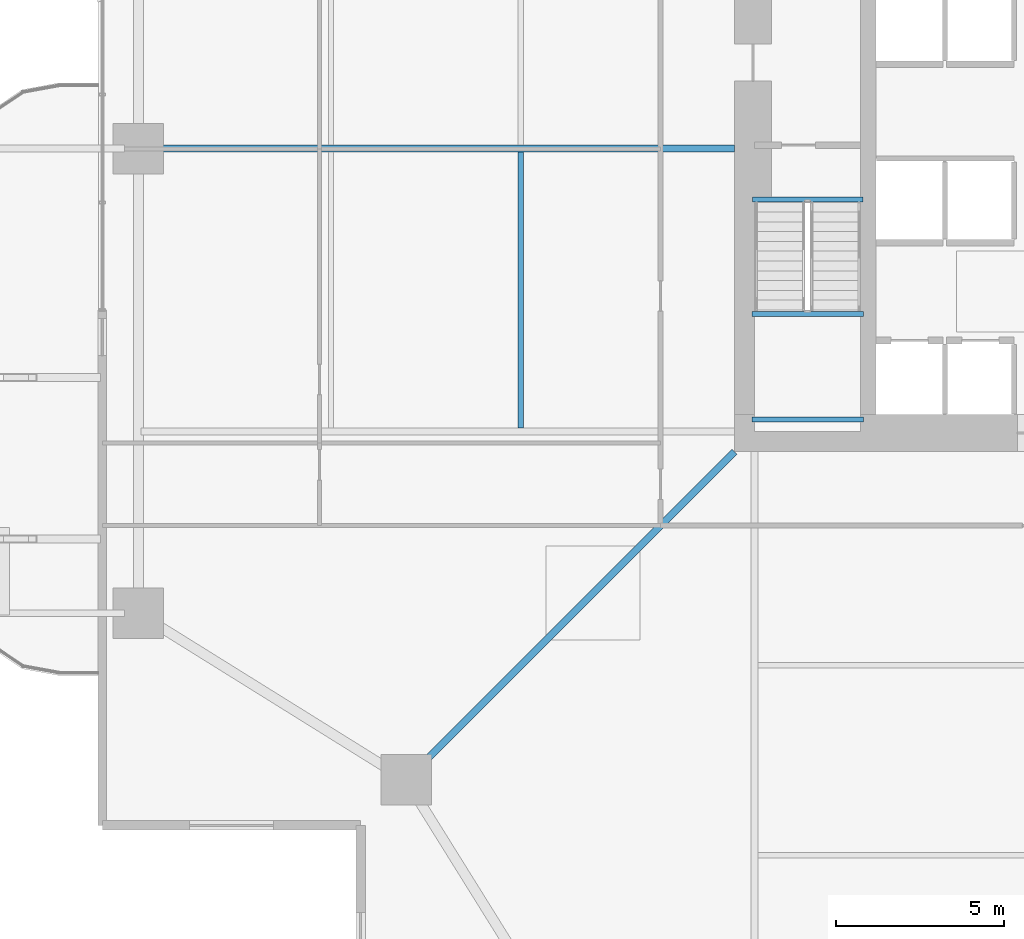
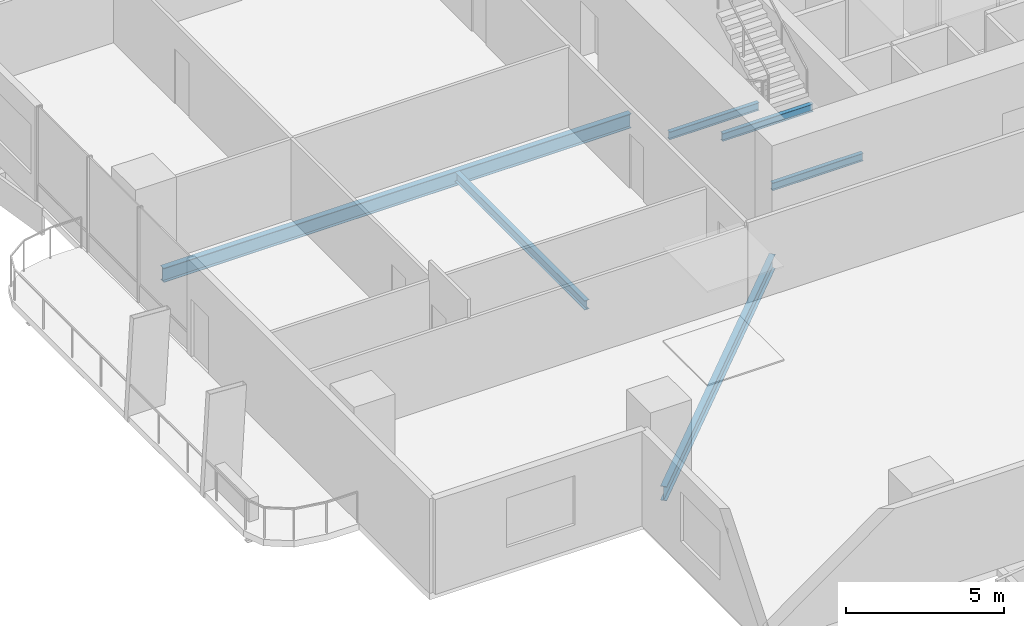
# One storey, part 5 of 24: 6 beams.
"""IFC4 building model written with IfcOpenShell, lengths in metres."""

from ifc_helpers import new_model, si_unit, direction, frame, origin, origin_2d, place, context, subcontext, project, spatial, i_section, extrude, material, material_profile, profile_set, type_object, element, save


model = new_model("IFC4")

# Units and contexts
model_context = context("Model", 3, precision=1e-05, world=origin(), true_north=direction((0.0, 1.0)))
body_context = subcontext(model_context, "Body", "Model", "MODEL_VIEW")
ifc_project = project(units=[si_unit("LENGTHUNIT", "METRE"), si_unit("AREAUNIT", "SQUARE_METRE"), si_unit("VOLUMEUNIT", "CUBIC_METRE"), si_unit("PLANEANGLEUNIT", "RADIAN"), si_unit("MASSUNIT", "GRAM", prefix="KILO")], contexts=[model_context])

# Site, building, storey
site_placement = place(None, origin())
site = spatial("IfcSite", under=ifc_project, at=site_placement, CompositionType="ELEMENT")
building_placement = place(site_placement, origin())
building = spatial("IfcBuilding", under=site, at=building_placement, Name="Belovzor Exchange Tower", CompositionType="ELEMENT")
storey_placement = place(building_placement, frame((0.0, 0.0, 45.60009765625)))
storey = spatial("IfcBuildingStorey", under=building, at=storey_placement, Name="L10", CompositionType="ELEMENT", Elevation=45.60009765625)

# Beams
ifc_material_1 = material(Name="Steel S355", Category="steel")
ifc_material_profile_1 = material_profile(ifc_material_1, i_section(OverallWidth=0.169921875, OverallDepth=0.360107421875, WebThickness=0.008056640625, FlangeThickness=0.0126953125, at=origin_2d()))
ifc_profile_set_1 = profile_set([ifc_material_profile_1], Name="Steel S355")
beam_type_1 = type_object("IfcBeamType", Name="Secondary Infill Floor Joist IPE 360", PredefinedType="BEAM", material=ifc_profile_set_1)
beam_1_placement = place(storey_placement, frame((13.455078125, 20.5048828125, -0.43017578125), z_axis=(0.0, 1.0, 0.0), x_axis=(-1.0, 0.0, 0.0)))
element("IfcBeam", 1, at=beam_1_placement, inside=storey, type_object=beam_type_1, Name="FJ-360 Secondary Infill Floor Joist IPE 360", PredefinedType="BEAM", context=body_context, shape_type="SweptSolid", body=[
    extrude(i_section(OverallWidth=0.169921875, OverallDepth=0.360107421875, WebThickness=0.008056640625, FlangeThickness=0.0126953125, at=origin_2d()), origin(), (0.0, 0.0, 1.0), 8.190185546875),
])
ifc_material_2 = material(Name="Steel S355", Category="steel")
ifc_material_profile_2 = material_profile(ifc_material_2, i_section(OverallWidth=0.14990234375, OverallDepth=0.300048828125, WebThickness=0.007080078125, FlangeThickness=0.0107421875, at=origin_2d()))
ifc_profile_set_2 = profile_set([ifc_material_profile_2], Name="Steel S355")
beam_type_2 = type_object("IfcBeamType", Name="Secondary Trim Floor Joist IPE 300", PredefinedType="BEAM", material=ifc_profile_set_2)
for number, where, z_axis, x_axis, name in (
    (2, (20.320068359375, 23.889892578125, 1.599853515625), (1.0, 0.0, 0.0), (0.0, 1.0, 0.0), "FJ-300 Secondary Trim Floor Joist IPE 300"),
    (3, (20.320068359375, 20.75, 1.599853515625), (1.0, 0.0, 0.0), (0.0, 1.0, 0.0), "FJ-300 Secondary Trim Floor Joist IPE 300"),
):
    element("IfcBeam", number, at=place(storey_placement, frame(where, z_axis=z_axis, x_axis=x_axis)), inside=storey, type_object=beam_type_2, Name=name, PredefinedType="BEAM", context=body_context, shape_type="SweptSolid", body=[
        extrude(i_section(OverallWidth=0.14990234375, OverallDepth=0.300048828125, WebThickness=0.007080078125, FlangeThickness=0.0107421875, at=origin_2d()), origin(), (0.0, 0.0, 1.0), 3.309814453125),
    ])
beam_2_placement = place(storey_placement, frame((20.340087890625, 27.280029296875, -0.400146484375), z_axis=(1.0, 0.0, 0.0), x_axis=(0.0, 1.0, 0.0)))
element("IfcBeam", 4, at=beam_2_placement, inside=storey, type_object=beam_type_2, Name="FJ-300 Secondary Trim Floor Joist IPE 300", PredefinedType="BEAM", context=body_context, shape_type="SweptSolid", body=[
    extrude(i_section(OverallWidth=0.14990234375, OverallDepth=0.300048828125, WebThickness=0.007080078125, FlangeThickness=0.0107421875, at=origin_2d()), origin(), (0.0, 0.0, 1.0), 3.27001953125),
])
ifc_material_3 = material(Name="Steel S355", Category="steel")
ifc_material_profile_3 = material_profile(ifc_material_3, i_section(OverallWidth=0.2099609375, OverallDepth=0.550048828125, WebThickness=0.010986328125, FlangeThickness=0.01708984375, at=origin_2d()))
ifc_profile_set_3 = profile_set([ifc_material_profile_3], Name="Steel S355")
beam_type_3 = type_object("IfcBeamType", Name="Zone 1 Radial Composite Floor Beam IPE 550", PredefinedType="BEAM", material=ifc_profile_set_3)
beam_3_placement = place(storey_placement, frame((19.800048828125, 28.800048828125, -0.525146484375), z_axis=(-1.0, 0.0, 0.0), x_axis=(0.0, -1.0, 0.0)))
element("IfcBeam", 5, at=beam_3_placement, inside=storey, type_object=beam_type_3, Name="FB-550 Zone 1 Radial Composite Floor Beam IPE 550", PredefinedType="BEAM", context=body_context, shape_type="SweptSolid", body=[
    extrude(i_section(OverallWidth=0.2099609375, OverallDepth=0.550048828125, WebThickness=0.010986328125, FlangeThickness=0.01708984375, at=origin_2d()), origin(), (0.0, 0.0, 1.0), 17.0400390625),
])
beam_4_placement = place(storey_placement, frame((19.800048828125, 19.800048828125, -0.525146484375), z_axis=(-0.707106781187, -0.707106781187, 0.0), x_axis=(0.707106781187, -0.707106781187, 0.0)))
element("IfcBeam", 6, at=beam_4_placement, inside=storey, type_object=beam_type_3, Name="FB-550 Zone 1 Radial Composite Floor Beam IPE 550", PredefinedType="BEAM", context=body_context, shape_type="SweptSolid", body=[
    extrude(i_section(OverallWidth=0.2099609375, OverallDepth=0.550048828125, WebThickness=0.010986328125, FlangeThickness=0.01708984375, at=origin_2d()), origin(), (0.0, 0.0, 1.0), 13.25830078125),
])

save(model, "model.ifc")
